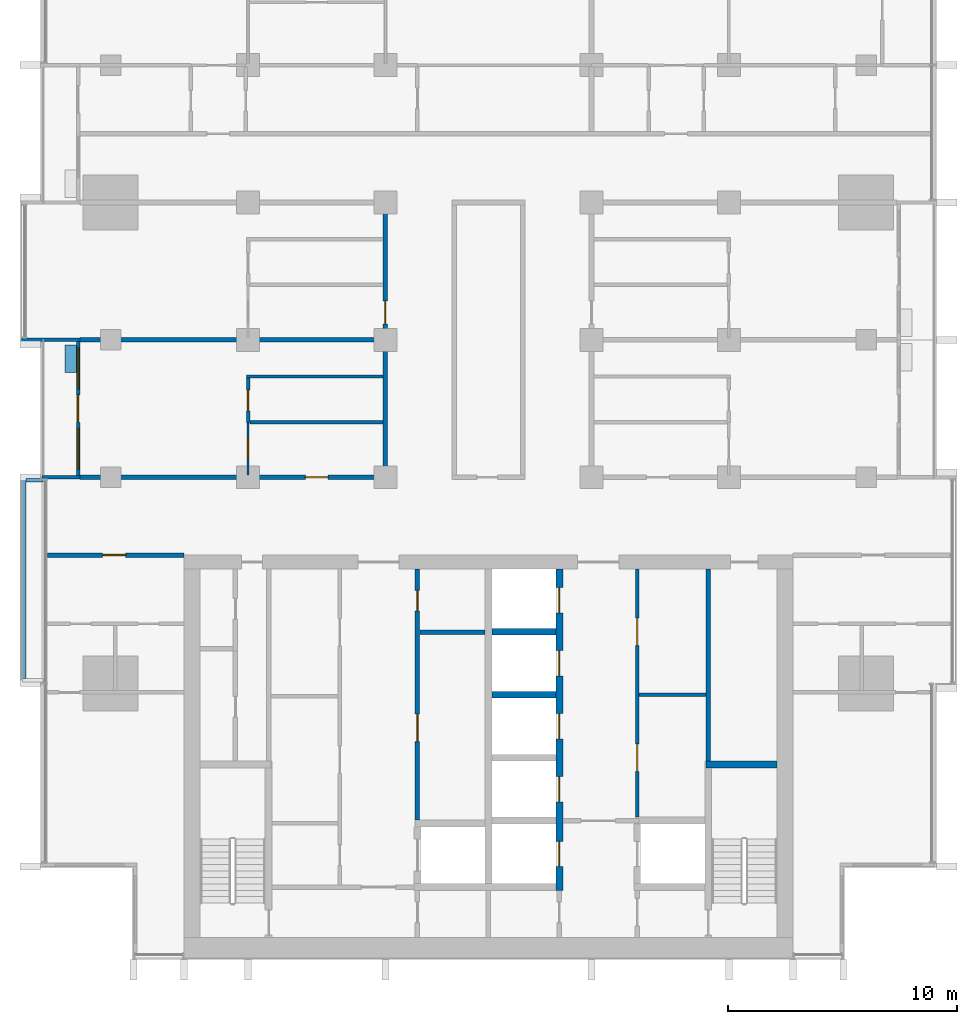
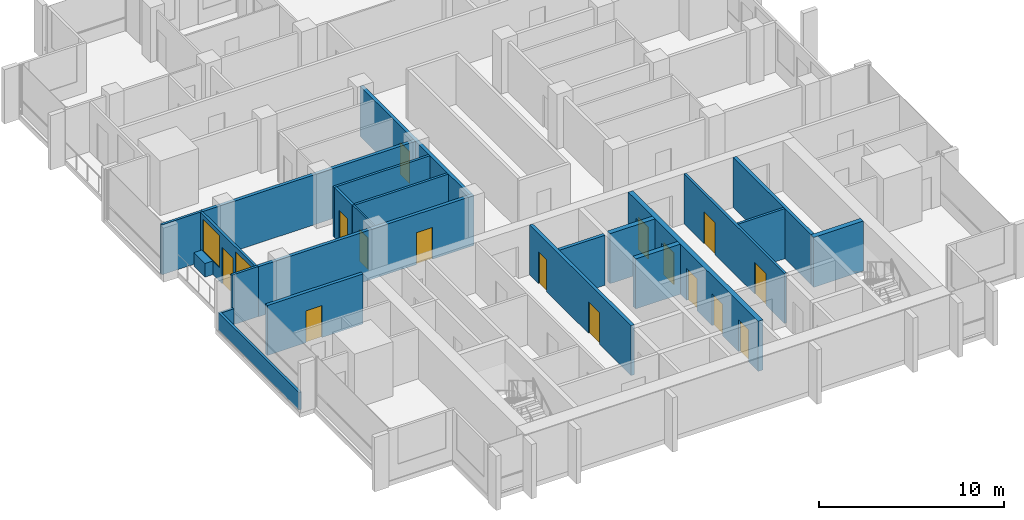
# One storey, part 8 of 17: 23 walls, 15 doors, 2 windows, 17 openings.
"""IFC4 building model written with IfcOpenShell, lengths in metres."""

import ifcopenshell
import ifcopenshell.guid

model = None  # the IFC model being written
_history = None  # IfcOwnerHistory: only IFC2X3 demands one
_inside = {}  # id of a spatial element -> (the spatial element, [elements in it])
_under = {}  # id of a project, library or spatial element -> (it, [spatial elements below it])
_declared = {}  # id of a project -> (the project, [libraries it declares])
_typed = {}  # id of a type object -> (the type object, [elements of that type])
_made_of = {}  # id of a material, layer set ... -> (it, [elements and type objects made of it])


def new_model(schema):
    """Start an empty IFC model of exactly this schema.

    Asked for "IFC4X3", IfcOpenShell would pick the latest addendum, in which some entities
    have other attributes; the version numbers below select the first issue.
    IFC2X3 requires an IfcOwnerHistory on every rooted entity: one is made here for all.
    """
    global model, _history
    if schema == "IFC4X3":
        model = ifcopenshell.file(schema_version=(4, 3, 0, 0))
    else:
        model = ifcopenshell.file(schema=schema)
    _inside.clear()
    _under.clear()
    _declared.clear()
    _typed.clear()
    _made_of.clear()
    _history = None
    if model.schema == "IFC2X3":
        org = make("IfcOrganization", Name="unknown")
        user = make(
            "IfcPersonAndOrganization",
            ThePerson=make("IfcPerson", FamilyName="unknown"),
            TheOrganization=org,
        )
        app = make(
            "IfcApplication",
            ApplicationDeveloper=org,
            Version="unknown",
            ApplicationFullName="unknown",
            ApplicationIdentifier="unknown",
        )
        _history = make(
            "IfcOwnerHistory",
            OwningUser=user,
            OwningApplication=app,
            ChangeAction="ADDED",
            CreationDate=0,
        )
    return model


def make(cls, **values):
    """One entity of the class cls with the attributes given. An attribute that is None is left unset."""
    return model.create_entity(
        cls, **{name: value for name, value in values.items() if value is not None}
    )


def rooted(cls, **values):
    """An entity with a GlobalId (a new one), such as an element, a storey or a relation."""
    return make(cls, GlobalId=ifcopenshell.guid.new(), OwnerHistory=_history, **values)


def si_unit(unit_type, name, prefix=None):
    """IfcSIUnit, for example si_unit("LENGTHUNIT", "METRE", prefix="MILLI")."""
    return make("IfcSIUnit", UnitType=unit_type, Prefix=prefix, Name=name)


def assignment(units):
    """IfcUnitAssignment: the units of a project."""
    return None if units is None else make("IfcUnitAssignment", Units=units)


def point(xyz):
    """IfcCartesianPoint."""
    return None if xyz is None else make("IfcCartesianPoint", Coordinates=xyz)


def direction(xyz):
    """IfcDirection."""
    return None if xyz is None else make("IfcDirection", DirectionRatios=xyz)


def frame(location, z_axis=None, x_axis=None):
    """IfcAxis2Placement3D, a coordinate frame: its origin and axes. An axis left out is left unset."""
    return make(
        "IfcAxis2Placement3D",
        Location=point(location),
        Axis=direction(z_axis),
        RefDirection=direction(x_axis),
    )


def frame_2d(location, x_axis=None):
    """IfcAxis2Placement2D, a coordinate frame in the plane: its origin and x axis."""
    return make(
        "IfcAxis2Placement2D", Location=point(location), RefDirection=direction(x_axis)
    )


def origin():
    """The frame at (0, 0, 0) with its axes left unset."""
    return frame((0.0, 0.0, 0.0))


def place(relative_to, where):
    """IfcLocalPlacement: puts the frame where relative to a parent placement (None: the world)."""
    return make(
        "IfcLocalPlacement", PlacementRelTo=relative_to, RelativePlacement=where
    )


def context(
    kind, dimensions, precision=None, world=None, true_north=None, identifier=None
):
    """IfcGeometricRepresentationContext, for example the 3D "Model" context."""
    return make(
        "IfcGeometricRepresentationContext",
        ContextIdentifier=identifier,
        ContextType=kind,
        CoordinateSpaceDimension=dimensions,
        Precision=precision,
        WorldCoordinateSystem=world,
        TrueNorth=true_north,
    )


def subcontext(parent, identifier, kind, view, scale=None):
    """IfcGeometricRepresentationSubContext, for example "Body" below "Model"."""
    return make(
        "IfcGeometricRepresentationSubContext",
        ContextIdentifier=identifier,
        ContextType=kind,
        ParentContext=parent,
        TargetScale=scale,
        TargetView=view,
    )


def project(units=None, contexts=None):
    """IfcProject with its units and contexts."""
    return rooted(
        "IfcProject",
        Name="project",
        RepresentationContexts=contexts,
        UnitsInContext=assignment(units),
    )


def spatial(cls, under=None, at=None, **own):
    """A site, building, storey or space (cls), placed at a placement, below another one or the project."""
    s = rooted(cls, ObjectPlacement=at, **own)
    if under is not None:
        _under.setdefault(under.id(), (under, []))[1].append(s)
    return s


def profile(cls, at=None, kind="AREA", **sizes):
    """A parametric profile (cls). Its sizes go by their IFC names, for example OverallWidth=200.0."""
    return make(cls, ProfileType=kind, Position=at, **sizes)


def rectangle(**sizes):
    """IfcRectangleProfileDef."""
    return profile("IfcRectangleProfileDef", **sizes)


def extrude(swept, where, along, depth):
    """IfcExtrudedAreaSolid: the profile swept, set in the frame where, extruded along a direction by depth."""
    return make(
        "IfcExtrudedAreaSolid",
        SweptArea=swept,
        Position=where,
        ExtrudedDirection=direction(along),
        Depth=depth,
    )


def shape(context_of_items, identifier, shape_type, items):
    """IfcShapeRepresentation: the items that make up one representation, for example the "Body"."""
    return make(
        "IfcShapeRepresentation",
        ContextOfItems=context_of_items,
        RepresentationIdentifier=identifier,
        RepresentationType=shape_type,
        Items=items,
    )


def material(Name=None, Category=None):
    """IfcMaterial."""
    return make("IfcMaterial", Name=Name, Category=Category)


def layer(
    of_material, thickness, ventilated=None, Name=None, Category=None, Priority=None
):
    """IfcMaterialLayer: one layer of a wall or slab, of a material (None: an air gap)."""
    return make(
        "IfcMaterialLayer",
        Material=of_material,
        LayerThickness=thickness,
        IsVentilated=ventilated,
        Name=Name,
        Category=Category,
        Priority=Priority,
    )


def layer_set(layers, Name=None):
    """IfcMaterialLayerSet."""
    return make("IfcMaterialLayerSet", MaterialLayers=layers, LayerSetName=Name)


def made_of(thing, what):
    """Note that an element or type object is made of a material, layer set ...; save() writes the relation."""
    if what is not None:
        _made_of.setdefault(what.id(), (what, []))[1].append(thing)
    return thing


def type_object(cls, material=None, **own):
    """A type object (cls), such as IfcWallType, which elements share."""
    return made_of(rooted(cls, **own), material)


def element(
    cls,
    number,
    at=None,
    inside=None,
    cuts=None,
    type_object=None,
    material=None,
    context=None,
    identifier="Body",
    shape_type=None,
    held_by="IfcProductDefinitionShape",
    body=None,
    shapes=None,
    **own,
):
    """One element of the class cls, such as IfcWall. Its Tag is "e" and its number.

    at: its placement. inside: the storey or other place that contains it. cuts: it is an
    opening in that element (IfcRelVoidsElement). A single representation is given by context,
    identifier, shape_type and body (its items); several are given by shapes. held_by: the class
    of the entity that holds the representations. save() writes the other relations.
    """
    e = rooted(cls, Tag="e%d" % number, ObjectPlacement=at, **own)
    if body is not None:
        shapes = [shape(context, identifier, shape_type, body)]
    if shapes is not None:
        e.Representation = make(held_by, Representations=shapes)
    if inside is not None:
        _inside.setdefault(inside.id(), (inside, []))[1].append(e)
    if cuts is not None:
        rooted(
            "IfcRelVoidsElement", RelatingBuildingElement=cuts, RelatedOpeningElement=e
        )
    if type_object is not None:
        _typed.setdefault(type_object.id(), (type_object, []))[1].append(e)
    return made_of(e, material)


def fill(opening, filler):
    """IfcRelFillsElement: the door or window that sits in an opening."""
    return rooted(
        "IfcRelFillsElement",
        RelatingOpeningElement=opening,
        RelatedBuildingElement=filler,
    )


def aggregate(whole, parts):
    """IfcRelAggregates: a whole, such as a stair, and the parts it consists of."""
    return rooted("IfcRelAggregates", RelatingObject=whole, RelatedObjects=parts)


def save(model, path):
    """Write the relations noted so far, then the file.

    IfcRelAggregates (storeys below a building ...), IfcRelContainedInSpatialStructure (elements
    in a storey), IfcRelDefinesByType, IfcRelAssociatesMaterial and IfcRelDeclares: one each for
    every whole, place, type object, material and project.
    """
    for whole, parts in _under.values():
        aggregate(whole, parts)
    for where, things in _inside.values():
        rooted(
            "IfcRelContainedInSpatialStructure",
            RelatedElements=things,
            RelatingStructure=where,
        )
    for kind, things in _typed.values():
        rooted("IfcRelDefinesByType", RelatedObjects=things, RelatingType=kind)
    for what, things in _made_of.values():
        rooted("IfcRelAssociatesMaterial", RelatedObjects=things, RelatingMaterial=what)
    for by, libraries in _declared.values():
        rooted("IfcRelDeclares", RelatingContext=by, RelatedDefinitions=libraries)
    model.write(path)


model = new_model("IFC4")

# Units and contexts
model_context = context("Model", 3, precision=1e-05, world=origin(), true_north=direction((0.0, 1.0)))
body_context = subcontext(model_context, "Body", "Model", "MODEL_VIEW")
ifc_project = project(units=[si_unit("LENGTHUNIT", "METRE"), si_unit("AREAUNIT", "SQUARE_METRE"), si_unit("VOLUMEUNIT", "CUBIC_METRE"), si_unit("PLANEANGLEUNIT", "RADIAN"), si_unit("MASSUNIT", "GRAM", prefix="KILO")], contexts=[model_context])

# Site, building, storey
site_placement = place(None, origin())
site = spatial("IfcSite", under=ifc_project, at=site_placement, CompositionType="ELEMENT")
building_placement = place(site_placement, origin())
building = spatial("IfcBuilding", under=site, at=building_placement, Name="Finial Court Residences", CompositionType="ELEMENT")
storey_placement = place(building_placement, frame((0.0, 0.0, 167.300048828125)))
storey = spatial("IfcBuildingStorey", under=building, at=storey_placement, Name="L41", CompositionType="ELEMENT", Elevation=167.300048828125)

# Walls
ifc_material_1 = material(Name="Gypsum board")
ifc_layer_1 = layer(ifc_material_1, 0.02490234375)
ifc_material_2 = material(Name="Acoustic mineral wool in double frame")
ifc_layer_2 = layer(ifc_material_2, 0.14990234375)
ifc_layer_3 = layer(ifc_material_1, 0.02490234375)
ifc_layer_set_1 = layer_set([ifc_layer_1, ifc_layer_2, ifc_layer_3], Name="Acoustic party wall 200, 1 hour")
wall_type_1 = type_object("IfcWallType", Name="Acoustic party wall 200, 1 hour", PredefinedType="PARTITIONING", material=ifc_layer_set_1)
wall_1_placement = place(storey_placement, frame((-17.85009765625, 1.5, 0.0), z_axis=(0.0, 0.0, 1.0), x_axis=(1.0, 0.0, 0.0)))
element("IfcWall", 1, at=wall_1_placement, inside=storey, type_object=wall_type_1, Name="Partition L41-013", PredefinedType="PARTITIONING", context=body_context, shape_type="SweptSolid", body=[
    extrude(rectangle(XDim=13.25, YDim=0.199951171875, at=frame_2d((6.625, 0.0))), origin(), (0.0, 0.0, 1.0), 3.300048828125),
])
ifc_material_3 = material(Name="Fire-rated gypsum board partition")
ifc_layer_4 = layer(ifc_material_3, 0.14990234375)
ifc_layer_set_2 = layer_set([ifc_layer_4], Name="Core room partition 150 EI 60")
wall_type_2 = type_object("IfcWallType", Name="Core room partition 150 EI 60", PredefinedType="PARTITIONING", material=ifc_layer_set_2)
wall_2_placement = place(storey_placement, frame((6.574951171875, -14.0, 0.0), z_axis=(0.0, 0.0, 1.0), x_axis=(1.0, 0.0, 0.0)))
element("IfcWall", 2, at=wall_2_placement, inside=storey, type_object=wall_type_2, Name="Core partition L41-14", PredefinedType="PARTITIONING", context=body_context, shape_type="SweptSolid", body=[
    extrude(rectangle(XDim=2.925048828125, YDim=0.14990234375, at=frame_2d((1.46240234375, 0.0))), origin(), (0.0, 0.0, 1.0), 3.300048828125),
])

# Wall, openings, doors
wall_3_placement = place(storey_placement, frame((6.5, -8.5, 0.0), z_axis=(0.0, 0.0, 1.0), x_axis=(0.0, -1.0, 0.0)))
wall_3 = element("IfcWall", 3, at=wall_3_placement, inside=storey, type_object=wall_type_2, Name="Core partition L41-32", PredefinedType="PARTITIONING", context=body_context, shape_type="SweptSolid", body=[
    extrude(rectangle(XDim=10.85009765625, YDim=0.14990234375, at=frame_2d((5.425048828125, 0.0))), origin(), (0.0, 0.0, 1.0), 3.300048828125),
])
opening_1_placement = place(wall_3_placement, frame((7.64990234375, 0.0, 0.0)))
opening_1 = element("IfcOpeningElement", 4, at=opening_1_placement, cuts=wall_3, Name="Opening L41-C17", PredefinedType="OPENING", context=body_context, shape_type="SweptSolid", body=[
    extrude(rectangle(XDim=1.199951171875, YDim=2.10009765625, at=frame_2d((0.60009765625, 1.050048828125))), frame((0.0, 0.0849609375, 0.0), z_axis=(0.0, -1.0, 0.0), x_axis=(1.0, 0.0, 0.0)), (0.0, 0.0, 1.0), 0.169921875),
])
opening_2_placement = place(wall_3_placement, frame((2.14990234375, 0.0, 0.0)))
opening_2 = element("IfcOpeningElement", 5, at=opening_2_placement, cuts=wall_3, Name="Opening L41-C18", PredefinedType="OPENING", context=body_context, shape_type="SweptSolid", body=[
    extrude(rectangle(XDim=1.199951171875, YDim=2.10009765625, at=frame_2d((0.60009765625, 1.050048828125))), frame((0.0, 0.0849609375, 0.0), z_axis=(0.0, -1.0, 0.0), x_axis=(1.0, 0.0, 0.0)), (0.0, 0.0, 1.0), 0.169921875),
])
ifc_material_4 = material(Name="Steel fire door", Category="steel")
door_type_1 = type_object("IfcDoorType", Name="Core room door 1200 x 2100 EI 60", OperationType="NOTDEFINED", PredefinedType="DOOR", material=ifc_material_4)
door_1_placement = place(opening_1_placement, origin())
door_1 = element("IfcDoor", 6, at=door_1_placement, inside=storey, type_object=door_type_1, Name="Core room door L41-C17", OperationType="SINGLE_SWING_RIGHT", OverallHeight=2.10009765625, OverallWidth=1.199951171875, PredefinedType="DOOR", context=body_context, shape_type="SweptSolid", body=[
    extrude(rectangle(XDim=1.199951171875, YDim=2.10009765625, at=frame_2d((0.60009765625, 1.050048828125))), frame((0.0, 0.02490234375, 0.0), z_axis=(0.0, -1.0, 0.0), x_axis=(1.0, 0.0, 0.0)), (0.0, 0.0, 1.0), 0.050048828125),
])
fill(opening_1, door_1)
door_2_placement = place(opening_2_placement, origin())
door_2 = element("IfcDoor", 7, at=door_2_placement, inside=storey, type_object=door_type_1, Name="Core room door L41-C18", OperationType="SINGLE_SWING_RIGHT", OverallHeight=2.10009765625, OverallWidth=1.199951171875, PredefinedType="DOOR", context=body_context, shape_type="SweptSolid", body=[
    extrude(rectangle(XDim=1.199951171875, YDim=2.10009765625, at=frame_2d((0.60009765625, 1.050048828125))), frame((0.0, 0.02490234375, 0.0), z_axis=(0.0, -1.0, 0.0), x_axis=(1.0, 0.0, 0.0)), (0.0, 0.0, 1.0), 0.050048828125),
])
fill(opening_2, door_2)

# Wall, opening, door
ifc_layer_5 = layer(ifc_material_1, 0.02490234375)
ifc_layer_6 = layer(ifc_material_2, 0.14990234375)
ifc_layer_7 = layer(ifc_material_1, 0.02490234375)
ifc_layer_set_3 = layer_set([ifc_layer_5, ifc_layer_6, ifc_layer_7], Name="Corridor wall 200, 1 hour")
wall_type_3 = type_object("IfcWallType", Name="Corridor wall 200, 1 hour", PredefinedType="PARTITIONING", material=ifc_layer_set_3)
wall_4_placement = place(storey_placement, frame((-19.262451171875, -7.89990234375, 0.0), z_axis=(0.0, 0.0, 1.0), x_axis=(1.0, 0.0, 0.0)))
wall_4 = element("IfcWall", 8, at=wall_4_placement, inside=storey, type_object=wall_type_3, Name="Partition L41-004", PredefinedType="PARTITIONING", context=body_context, shape_type="SweptSolid", body=[
    extrude(rectangle(XDim=5.96240234375, YDim=0.199951171875, at=frame_2d((2.981201171875, 0.0))), origin(), (0.0, 0.0, 1.0), 3.300048828125),
])
opening_3_placement = place(wall_4_placement, frame((2.412109375, 0.0, 0.0)))
opening_3 = element("IfcOpeningElement", 9, at=opening_3_placement, cuts=wall_4, Name="Opening L41-D007", PredefinedType="OPENING", context=body_context, shape_type="SweptSolid", body=[
    extrude(rectangle(XDim=1.0, YDim=2.10009765625, at=frame_2d((0.5, 1.050048828125))), frame((0.0, 0.10986328125, 0.0), z_axis=(0.0, -1.0, 0.0), x_axis=(1.0, 0.0, 0.0)), (0.0, 0.0, 1.0), 0.219970703125),
])
ifc_material_5 = material(Name="Timber door leaf in hollow metal frame", Category="wood")
door_type_2 = type_object("IfcDoorType", Name="Fire door set 1000 x 2100, 30 minutes", OperationType="SINGLE_SWING_LEFT", PredefinedType="DOOR", material=ifc_material_5)
door_3_placement = place(opening_3_placement, origin())
door_3 = element("IfcDoor", 10, at=door_3_placement, inside=storey, type_object=door_type_2, Name="Door L41-D007", OperationType="SINGLE_SWING_RIGHT", OverallHeight=2.10009765625, OverallWidth=1.0, PredefinedType="DOOR", context=body_context, shape_type="SweptSolid", body=[
    extrude(rectangle(XDim=1.0, YDim=2.10009765625, at=frame_2d((0.5, 1.050048828125))), frame((0.0, 0.02490234375, 0.0), z_axis=(0.0, -1.0, 0.0), x_axis=(1.0, 0.0, 0.0)), (0.0, 0.0, 1.0), 0.050048828125),
])
fill(opening_3, door_3)

wall_5_placement = place(storey_placement, frame((-17.85009765625, -4.5, 0.0), z_axis=(0.0, 0.0, 1.0), x_axis=(1.0, 0.0, 0.0)))
wall_5 = element("IfcWall", 11, at=wall_5_placement, inside=storey, type_object=wall_type_3, Name="Partition L41-006", PredefinedType="PARTITIONING", context=body_context, shape_type="SweptSolid", body=[
    extrude(rectangle(XDim=13.4501953125, YDim=0.199951171875, at=frame_2d((6.72509765625, 0.0))), origin(), (0.0, 0.0, 1.0), 3.300048828125),
])
opening_4_placement = place(wall_5_placement, frame((9.85009765625, 0.0, 0.0)))
opening_4 = element("IfcOpeningElement", 12, at=opening_4_placement, cuts=wall_5, Name="Opening L41-D009", PredefinedType="OPENING", context=body_context, shape_type="SweptSolid", body=[
    extrude(rectangle(XDim=1.0, YDim=2.10009765625, at=frame_2d((0.5, 1.050048828125))), frame((0.0, 0.10986328125, 0.0), z_axis=(0.0, -1.0, 0.0), x_axis=(1.0, 0.0, 0.0)), (0.0, 0.0, 1.0), 0.219970703125),
])
door_4_placement = place(opening_4_placement, origin())
door_4 = element("IfcDoor", 13, at=door_4_placement, inside=storey, type_object=door_type_2, Name="Door L41-D009", OperationType="SINGLE_SWING_LEFT", OverallHeight=2.10009765625, OverallWidth=1.0, PredefinedType="DOOR", context=body_context, shape_type="SweptSolid", body=[
    extrude(rectangle(XDim=1.0, YDim=2.10009765625, at=frame_2d((0.5, 1.050048828125))), frame((0.0, 0.02490234375, 0.0), z_axis=(0.0, -1.0, 0.0), x_axis=(1.0, 0.0, 0.0)), (0.0, 0.0, 1.0), 0.050048828125),
])
fill(opening_4, door_4)

wall_6_placement = place(storey_placement, frame((-4.5, -4.39990234375, 0.0), z_axis=(0.0, 0.0, 1.0), x_axis=(0.0, 1.0, 0.0)))
wall_6 = element("IfcWall", 14, at=wall_6_placement, inside=storey, type_object=wall_type_3, Name="Partition L41-042", PredefinedType="PARTITIONING", context=body_context, shape_type="SweptSolid", body=[
    extrude(rectangle(XDim=11.7998046875, YDim=0.199951171875, at=frame_2d((5.89990234375, 0.0))), origin(), (0.0, 0.0, 1.0), 3.300048828125),
])
opening_5_placement = place(wall_6_placement, frame((6.60009765625, 0.0, 0.0)))
opening_5 = element("IfcOpeningElement", 15, at=opening_5_placement, cuts=wall_6, Name="Opening L41-D025", PredefinedType="OPENING", context=body_context, shape_type="SweptSolid", body=[
    extrude(rectangle(XDim=1.0, YDim=2.10009765625, at=frame_2d((0.5, 1.050048828125))), frame((0.0, 0.10986328125, 0.0), z_axis=(0.0, -1.0, 0.0), x_axis=(1.0, 0.0, 0.0)), (0.0, 0.0, 1.0), 0.219970703125),
])
door_5_placement = place(opening_5_placement, origin())
door_5 = element("IfcDoor", 16, at=door_5_placement, inside=storey, type_object=door_type_2, Name="Door L41-D025", OperationType="SINGLE_SWING_LEFT", OverallHeight=2.10009765625, OverallWidth=1.0, PredefinedType="DOOR", context=body_context, shape_type="SweptSolid", body=[
    extrude(rectangle(XDim=1.0, YDim=2.10009765625, at=frame_2d((0.5, 1.050048828125))), frame((0.0, 0.02490234375, 0.0), z_axis=(0.0, -1.0, 0.0), x_axis=(1.0, 0.0, 0.0)), (0.0, 0.0, 1.0), 0.050048828125),
])
fill(opening_5, door_5)

ifc_layer_8 = layer(ifc_material_1, 0.012451171875)
ifc_material_6 = material(Name="Mineral wool in light-gauge frame")
ifc_layer_9 = layer(ifc_material_6, 0.074951171875)
ifc_layer_10 = layer(ifc_material_1, 0.012451171875)
ifc_layer_set_4 = layer_set([ifc_layer_8, ifc_layer_9, ifc_layer_10], Name="Gypsum board partition 100")
wall_type_4 = type_object("IfcWallType", Name="Gypsum board partition 100", PredefinedType="PARTITIONING", material=ifc_layer_set_4)
wall_7_placement = place(storey_placement, frame((-10.5, -4.39990234375, 0.0), z_axis=(0.0, 0.0, 1.0), x_axis=(0.0, 1.0, 0.0)))
wall_7 = element("IfcWall", 17, at=wall_7_placement, inside=storey, type_object=wall_type_4, Name="Partition L41-037", PredefinedType="PARTITIONING", context=body_context, shape_type="SweptSolid", body=[
    extrude(rectangle(XDim=2.2998046875, YDim=0.10009765625, at=frame_2d((1.14990234375, 0.0))), origin(), (0.0, 0.0, 1.0), 3.300048828125),
])
opening_6_placement = place(wall_7_placement, frame((0.699951171875, 0.0, 0.0)))
opening_6 = element("IfcOpeningElement", 18, at=opening_6_placement, cuts=wall_7, Name="Opening L41-D020", PredefinedType="OPENING", context=body_context, shape_type="SweptSolid", body=[
    extrude(rectangle(XDim=0.89990234375, YDim=2.10009765625, at=frame_2d((0.449951171875, 1.050048828125))), frame((0.0, 0.06005859375, 0.0), z_axis=(0.0, -1.0, 0.0), x_axis=(1.0, 0.0, 0.0)), (0.0, 0.0, 1.0), 0.1201171875),
])
ifc_material_7 = material(Name="Timber door leaf in timber frame", Category="wood")
door_type_3 = type_object("IfcDoorType", Name="Door set 900 x 2100", OperationType="SINGLE_SWING_LEFT", PredefinedType="DOOR", material=ifc_material_7)
door_6_placement = place(opening_6_placement, origin())
door_6 = element("IfcDoor", 19, at=door_6_placement, inside=storey, type_object=door_type_3, Name="Door L41-D020", OperationType="SINGLE_SWING_RIGHT", OverallHeight=2.10009765625, OverallWidth=0.89990234375, PredefinedType="DOOR", context=body_context, shape_type="SweptSolid", body=[
    extrude(rectangle(XDim=0.89990234375, YDim=2.10009765625, at=frame_2d((0.449951171875, 1.050048828125))), frame((0.0, 0.02490234375, 0.0), z_axis=(0.0, -1.0, 0.0), x_axis=(1.0, 0.0, 0.0)), (0.0, 0.0, 1.0), 0.050048828125),
])
fill(opening_6, door_6)

# Walls
ifc_material_8 = material(Name="Moisture-resistant gypsum board")
ifc_layer_11 = layer(ifc_material_8, 0.012451171875)
ifc_layer_12 = layer(ifc_material_6, 0.125)
ifc_layer_13 = layer(ifc_material_8, 0.012451171875)
ifc_layer_set_5 = layer_set([ifc_layer_11, ifc_layer_12, ifc_layer_13], Name="Gypsum board wet-area partition 150")
wall_type_5 = type_object("IfcWallType", Name="Gypsum board wet-area partition 150", PredefinedType="PARTITIONING", material=ifc_layer_set_5)
wall_8_placement = place(storey_placement, frame((-10.425048828125, -2.10009765625, 0.0), z_axis=(0.0, 0.0, 1.0), x_axis=(1.0, 0.0, 0.0)))
element("IfcWall", 20, at=wall_8_placement, inside=storey, type_object=wall_type_5, Name="Partition L41-009", PredefinedType="PARTITIONING", context=body_context, shape_type="SweptSolid", body=[
    extrude(rectangle(XDim=5.824951171875, YDim=0.14990234375, at=frame_2d((2.91259765625, 0.0))), origin(), (0.0, 0.0, 1.0), 3.300048828125),
])
wall_9_placement = place(storey_placement, frame((-10.574951171875, -0.10009765625, 0.0), z_axis=(0.0, 0.0, 1.0), x_axis=(1.0, 0.0, 0.0)))
element("IfcWall", 21, at=wall_9_placement, inside=storey, type_object=wall_type_5, Name="Partition L41-011", PredefinedType="PARTITIONING", context=body_context, shape_type="SweptSolid", body=[
    extrude(rectangle(XDim=5.974853515625, YDim=0.14990234375, at=frame_2d((2.9873046875, 0.0))), origin(), (0.0, 0.0, 1.0), 3.300048828125),
])

# Wall, opening, door
wall_10_placement = place(storey_placement, frame((-10.5, -2.10009765625, 0.0), z_axis=(0.0, 0.0, 1.0), x_axis=(0.0, 1.0, 0.0)))
wall_10 = element("IfcWall", 22, at=wall_10_placement, inside=storey, type_object=wall_type_5, Name="Partition L41-040", PredefinedType="PARTITIONING", context=body_context, shape_type="SweptSolid", body=[
    extrude(rectangle(XDim=1.925048828125, YDim=0.14990234375, at=frame_2d((0.96240234375, 0.0))), origin(), (0.0, 0.0, 1.0), 3.300048828125),
])
opening_7_placement = place(wall_10_placement, frame((0.5, 0.0, 0.0)))
opening_7 = element("IfcOpeningElement", 23, at=opening_7_placement, cuts=wall_10, Name="Opening L41-D023", PredefinedType="OPENING", context=body_context, shape_type="SweptSolid", body=[
    extrude(rectangle(XDim=0.89990234375, YDim=2.10009765625, at=frame_2d((0.449951171875, 1.050048828125))), frame((0.0, 0.0849609375, 0.0), z_axis=(0.0, -1.0, 0.0), x_axis=(1.0, 0.0, 0.0)), (0.0, 0.0, 1.0), 0.169921875),
])
door_7_placement = place(opening_7_placement, origin())
door_7 = element("IfcDoor", 24, at=door_7_placement, inside=storey, type_object=door_type_3, Name="Door L41-D023", OperationType="SINGLE_SWING_RIGHT", OverallHeight=2.10009765625, OverallWidth=0.89990234375, PredefinedType="DOOR", context=body_context, shape_type="SweptSolid", body=[
    extrude(rectangle(XDim=0.89990234375, YDim=2.10009765625, at=frame_2d((0.449951171875, 1.050048828125))), frame((0.0, 0.02490234375, 0.0), z_axis=(0.0, -1.0, 0.0), x_axis=(1.0, 0.0, 0.0)), (0.0, 0.0, 1.0), 0.050048828125),
])
fill(opening_7, door_7)

# Walls
ifc_material_9 = material(Name="Concrete C35/45", Category="concrete")
ifc_layer_14 = layer(ifc_material_9, 0.14990234375)
ifc_layer_set_6 = layer_set([ifc_layer_14], Name="Ledge parapet, Concrete C35/45 150")
wall_type_6 = type_object("IfcWallType", Name="Ledge parapet, Concrete C35/45 150", PredefinedType="PARAPET", material=ifc_layer_set_6)
wall_11_placement = place(storey_placement, frame((-20.27490234375, -13.300048828125, 0.0), z_axis=(0.0, 0.0, 1.0), x_axis=(0.0, 1.0, 0.0)))
element("IfcWall", 25, at=wall_11_placement, inside=storey, type_object=wall_type_6, Name="E-L41-LED1-P2", PredefinedType="PARAPET", context=body_context, shape_type="SweptSolid", body=[
    extrude(rectangle(XDim=8.75, YDim=0.14990234375, at=frame_2d((4.375, 0.0))), origin(), (0.0, 0.0, 1.0), 1.14990234375),
])
wall_12_placement = place(storey_placement, frame((-20.199951171875, -4.625, 0.0), z_axis=(0.0, 0.0, 1.0), x_axis=(1.0, 0.0, 0.0)))
element("IfcWall", 26, at=wall_12_placement, inside=storey, type_object=wall_type_6, Name="E-L41-LED1-P3", PredefinedType="PARAPET", context=body_context, shape_type="SweptSolid", body=[
    extrude(rectangle(XDim=0.75244140625, YDim=0.14990234375, at=frame_2d((0.376220703125, 0.0))), origin(), (0.0, 0.0, 1.0), 1.14990234375),
])
ifc_material_10 = material(Name="Concrete C70/85", Category="concrete")
ifc_layer_15 = layer(ifc_material_10, 0.300048828125)
ifc_layer_set_7 = layer_set([ifc_layer_15], Name="Lift shaft and stair wall 300 Concrete C70/85")
wall_type_7 = type_object("IfcWallType", Name="Lift shaft and stair wall 300 Concrete C70/85", PredefinedType="SHEAR", material=ifc_layer_set_7)
wall_13_placement = place(storey_placement, frame((9.5, -17.050048828125, 0.0), z_axis=(0.0, 0.0, 1.0), x_axis=(1.0, 0.0, 0.0)))
element("IfcWall", 27, at=wall_13_placement, inside=storey, type_object=wall_type_7, Name="Core wall L41-10", PredefinedType="SHEAR", context=body_context, shape_type="SweptSolid", body=[
    extrude(rectangle(XDim=3.10009765625, YDim=0.300048828125, at=frame_2d((1.550048828125, 0.0))), origin(), (0.0, 0.0, 1.0), 3.300048828125),
])
for number, where, z_axis, x_axis, name in (
    (28, (0.14990234375, -14.0, 0.0), (0.0, 0.0, 1.0), (1.0, 0.0, 0.0), "Core wall L41-13"),
    (29, (0.14990234375, -11.25, 0.0), (0.0, 0.0, 1.0), (1.0, 0.0, 0.0), "Core wall L41-17"),
):
    element("IfcWall", number, at=place(storey_placement, frame(where, z_axis=z_axis, x_axis=x_axis)), inside=storey, type_object=wall_type_7, Name=name, PredefinedType="SHEAR", context=body_context, shape_type="SweptSolid", body=[
        extrude(rectangle(XDim=2.800048828125, YDim=0.300048828125, at=frame_2d((1.39990234375, 0.0))), origin(), (0.0, 0.0, 1.0), 3.300048828125),
    ])

# Wall, openings, doors
wall_14_placement = place(storey_placement, frame((3.10009765625, -22.550048828125, 0.0), z_axis=(0.0, 0.0, 1.0), x_axis=(0.0, 1.0, 0.0)))
wall_14 = element("IfcWall", 30, at=wall_14_placement, inside=storey, type_object=wall_type_7, Name="Core wall L41-29", PredefinedType="SHEAR", context=body_context, shape_type="SweptSolid", body=[
    extrude(rectangle(XDim=14.050048828125, YDim=0.300048828125, at=frame_2d((7.02490234375, 0.0))), origin(), (0.0, 0.0, 1.0), 3.300048828125),
])
opening_8_placement = place(wall_14_placement, frame((1.050048828125, 0.0, 0.0)))
opening_8 = element("IfcOpeningElement", 31, at=opening_8_placement, cuts=wall_14, Name="Opening L41-LD01", PredefinedType="OPENING", context=body_context, shape_type="SweptSolid", body=[
    extrude(rectangle(XDim=1.10009765625, YDim=2.10009765625, at=frame_2d((0.550048828125, 1.050048828125))), frame((0.0, 0.159912109375, 0.0), z_axis=(0.0, -1.0, 0.0), x_axis=(1.0, 0.0, 0.0)), (0.0, 0.0, 1.0), 0.320068359375),
])
opening_9_placement = place(wall_14_placement, frame((3.875, 0.0, 0.0)))
opening_9 = element("IfcOpeningElement", 32, at=opening_9_placement, cuts=wall_14, Name="Opening L41-LD03", PredefinedType="OPENING", context=body_context, shape_type="SweptSolid", body=[
    extrude(rectangle(XDim=1.10009765625, YDim=2.10009765625, at=frame_2d((0.550048828125, 1.050048828125))), frame((0.0, 0.159912109375, 0.0), z_axis=(0.0, -1.0, 0.0), x_axis=(1.0, 0.0, 0.0)), (0.0, 0.0, 1.0), 0.320068359375),
])
opening_10_placement = place(wall_14_placement, frame((6.625, 0.0, 0.0)))
opening_10 = element("IfcOpeningElement", 33, at=opening_10_placement, cuts=wall_14, Name="Opening L41-LD04", PredefinedType="OPENING", context=body_context, shape_type="SweptSolid", body=[
    extrude(rectangle(XDim=1.10009765625, YDim=2.10009765625, at=frame_2d((0.550048828125, 1.050048828125))), frame((0.0, 0.159912109375, 0.0), z_axis=(0.0, -1.0, 0.0), x_axis=(1.0, 0.0, 0.0)), (0.0, 0.0, 1.0), 0.320068359375),
])
opening_11_placement = place(wall_14_placement, frame((9.375, 0.0, 0.0)))
opening_11 = element("IfcOpeningElement", 34, at=opening_11_placement, cuts=wall_14, Name="Opening L41-LD05", PredefinedType="OPENING", context=body_context, shape_type="SweptSolid", body=[
    extrude(rectangle(XDim=1.10009765625, YDim=2.10009765625, at=frame_2d((0.550048828125, 1.050048828125))), frame((0.0, 0.159912109375, 0.0), z_axis=(0.0, -1.0, 0.0), x_axis=(1.0, 0.0, 0.0)), (0.0, 0.0, 1.0), 0.320068359375),
])
opening_12_placement = place(wall_14_placement, frame((12.125, 0.0, 0.0)))
opening_12 = element("IfcOpeningElement", 35, at=opening_12_placement, cuts=wall_14, Name="Opening L41-LD06", PredefinedType="OPENING", context=body_context, shape_type="SweptSolid", body=[
    extrude(rectangle(XDim=1.10009765625, YDim=2.10009765625, at=frame_2d((0.550048828125, 1.050048828125))), frame((0.0, 0.159912109375, 0.0), z_axis=(0.0, -1.0, 0.0), x_axis=(1.0, 0.0, 0.0)), (0.0, 0.0, 1.0), 0.320068359375),
])
ifc_material_11 = material(Name="Stainless steel lift door", Category="steel")
door_type_4 = type_object("IfcDoorType", Name="Lift landing door 1100 x 2100 EI 90", OperationType="DOUBLE_DOOR_SLIDING", PredefinedType="DOOR", material=ifc_material_11)
door_8_placement = place(opening_8_placement, origin())
door_8 = element("IfcDoor", 36, at=door_8_placement, inside=storey, type_object=door_type_4, Name="Lift landing door FF1 L41", OperationType="DOUBLE_DOOR_SLIDING", OverallHeight=2.10009765625, OverallWidth=1.10009765625, PredefinedType="DOOR", context=body_context, shape_type="SweptSolid", body=[
    extrude(rectangle(XDim=1.10009765625, YDim=2.10009765625, at=frame_2d((0.550048828125, 1.050048828125))), frame((0.0, 0.02490234375, 0.0), z_axis=(0.0, -1.0, 0.0), x_axis=(1.0, 0.0, 0.0)), (0.0, 0.0, 1.0), 0.050048828125),
])
fill(opening_8, door_8)
door_9_placement = place(opening_9_placement, origin())
door_9 = element("IfcDoor", 37, at=door_9_placement, inside=storey, type_object=door_type_4, Name="Lift landing door HR1 L41", OperationType="DOUBLE_DOOR_SLIDING", OverallHeight=2.10009765625, OverallWidth=1.10009765625, PredefinedType="DOOR", context=body_context, shape_type="SweptSolid", body=[
    extrude(rectangle(XDim=1.10009765625, YDim=2.10009765625, at=frame_2d((0.550048828125, 1.050048828125))), frame((0.0, 0.02490234375, 0.0), z_axis=(0.0, -1.0, 0.0), x_axis=(1.0, 0.0, 0.0)), (0.0, 0.0, 1.0), 0.050048828125),
])
fill(opening_9, door_9)
door_10_placement = place(opening_10_placement, origin())
door_10 = element("IfcDoor", 38, at=door_10_placement, inside=storey, type_object=door_type_4, Name="Lift landing door HR2 L41", OperationType="DOUBLE_DOOR_SLIDING", OverallHeight=2.10009765625, OverallWidth=1.10009765625, PredefinedType="DOOR", context=body_context, shape_type="SweptSolid", body=[
    extrude(rectangle(XDim=1.10009765625, YDim=2.10009765625, at=frame_2d((0.550048828125, 1.050048828125))), frame((0.0, 0.02490234375, 0.0), z_axis=(0.0, -1.0, 0.0), x_axis=(1.0, 0.0, 0.0)), (0.0, 0.0, 1.0), 0.050048828125),
])
fill(opening_10, door_10)
door_11_placement = place(opening_11_placement, origin())
door_11 = element("IfcDoor", 39, at=door_11_placement, inside=storey, type_object=door_type_4, Name="Lift landing door HR3 L41", OperationType="DOUBLE_DOOR_SLIDING", OverallHeight=2.10009765625, OverallWidth=1.10009765625, PredefinedType="DOOR", context=body_context, shape_type="SweptSolid", body=[
    extrude(rectangle(XDim=1.10009765625, YDim=2.10009765625, at=frame_2d((0.550048828125, 1.050048828125))), frame((0.0, 0.02490234375, 0.0), z_axis=(0.0, -1.0, 0.0), x_axis=(1.0, 0.0, 0.0)), (0.0, 0.0, 1.0), 0.050048828125),
])
fill(opening_11, door_11)
door_12_placement = place(opening_12_placement, origin())
door_12 = element("IfcDoor", 40, at=door_12_placement, inside=storey, type_object=door_type_4, Name="Lift landing door HR4 L41", OperationType="DOUBLE_DOOR_SLIDING", OverallHeight=2.10009765625, OverallWidth=1.10009765625, PredefinedType="DOOR", context=body_context, shape_type="SweptSolid", body=[
    extrude(rectangle(XDim=1.10009765625, YDim=2.10009765625, at=frame_2d((0.550048828125, 1.050048828125))), frame((0.0, 0.02490234375, 0.0), z_axis=(0.0, -1.0, 0.0), x_axis=(1.0, 0.0, 0.0)), (0.0, 0.0, 1.0), 0.050048828125),
])
fill(opening_12, door_12)

# Walls
ifc_material_12 = material(Name="Natural limestone", Category="masonry")
ifc_layer_16 = layer(ifc_material_12, 0.14990234375)
ifc_layer_set_8 = layer_set([ifc_layer_16], Name="Limestone clad wall 150")
wall_type_8 = type_object("IfcWallType", Name="Limestone clad wall 150", PredefinedType="SOLIDWALL", material=ifc_layer_set_8)
wall_15_placement = place(storey_placement, frame((-17.85009765625, -4.5, 0.0), z_axis=(0.0, 0.0, 1.0), x_axis=(-1.0, 0.0, 0.0)))
element("IfcWall", 41, at=wall_15_placement, inside=storey, type_object=wall_type_8, Name="E-L41-BALW3-P1", PredefinedType="SOLIDWALL", context=body_context, shape_type="SweptSolid", body=[
    extrude(rectangle(XDim=1.64990234375, YDim=0.14990234375, at=frame_2d((0.824951171875, 0.0))), origin(), (0.0, 0.0, 1.0), 3.300048828125),
])
wall_16_placement = place(storey_placement, frame((-17.85009765625, 1.5, 0.0), z_axis=(0.0, 0.0, 1.0), x_axis=(-1.0, 0.0, 0.0)))
element("IfcWall", 42, at=wall_16_placement, inside=storey, type_object=wall_type_8, Name="E-L41-BALW3-P2", PredefinedType="SOLIDWALL", context=body_context, shape_type="SweptSolid", body=[
    extrude(rectangle(XDim=2.5498046875, YDim=0.14990234375, at=frame_2d((1.27490234375, 0.0))), origin(), (0.0, 0.0, 1.0), 3.300048828125),
])

# Wall, openings, door, windows
wall_17_placement = place(storey_placement, frame((-17.925048828125, -4.425048828125, 0.0), z_axis=(0.0, 0.0, 1.0), x_axis=(0.0, 1.0, 0.0)))
wall_17 = element("IfcWall", 43, at=wall_17_placement, inside=storey, type_object=wall_type_8, Name="E-L41-L41-BALW3-W", PredefinedType="SOLIDWALL", context=body_context, shape_type="SweptSolid", body=[
    extrude(rectangle(XDim=5.85009765625, YDim=0.14990234375, at=frame_2d((2.925048828125, 0.0))), origin(), (0.0, 0.0, 1.0), 3.300048828125),
])
opening_13_placement = place(wall_17_placement, frame((2.324951171875, 0.0, 0.0)))
opening_13 = element("IfcOpeningElement", 44, at=opening_13_placement, cuts=wall_17, Name="Opening DE41-04", PredefinedType="OPENING", context=body_context, shape_type="SweptSolid", body=[
    extrude(rectangle(XDim=1.199951171875, YDim=2.39990234375, at=frame_2d((0.60009765625, 1.199951171875))), frame((0.0, 0.0849609375, 0.0), z_axis=(0.0, -1.0, 0.0), x_axis=(1.0, 0.0, 0.0)), (0.0, 0.0, 1.0), 0.169921875),
])
opening_14_placement = place(wall_17_placement, frame((0.262451171875, 0.0, 0.89990234375)))
opening_14 = element("IfcOpeningElement", 45, at=opening_14_placement, cuts=wall_17, Name="Opening WE41-16", PredefinedType="OPENING", context=body_context, shape_type="SweptSolid", body=[
    extrude(rectangle(XDim=1.800048828125, YDim=2.10009765625, at=frame_2d((0.89990234375, 1.050048828125))), frame((0.0, 0.0849609375, 0.0), z_axis=(0.0, -1.0, 0.0), x_axis=(1.0, 0.0, 0.0)), (0.0, 0.0, 1.0), 0.169921875),
])
opening_15_placement = place(wall_17_placement, frame((3.78759765625, 0.0, 0.89990234375)))
opening_15 = element("IfcOpeningElement", 46, at=opening_15_placement, cuts=wall_17, Name="Opening WE41-17", PredefinedType="OPENING", context=body_context, shape_type="SweptSolid", body=[
    extrude(rectangle(XDim=1.800048828125, YDim=2.10009765625, at=frame_2d((0.89990234375, 1.050048828125))), frame((0.0, 0.0849609375, 0.0), z_axis=(0.0, -1.0, 0.0), x_axis=(1.0, 0.0, 0.0)), (0.0, 0.0, 1.0), 0.169921875),
])
ifc_material_13 = material(Name="Bronze anodised aluminium", Category="aluminium")
door_type_5 = type_object("IfcDoorType", Name="Balcony door 1200 x 2400", OperationType="SINGLE_SWING_LEFT", PredefinedType="DOOR", material=ifc_material_13)
door_13_placement = place(opening_13_placement, origin())
door_13 = element("IfcDoor", 47, at=door_13_placement, inside=storey, type_object=door_type_5, Name="E-L41-L41-BALW3-W-D", OperationType="SINGLE_SWING_LEFT", OverallHeight=2.39990234375, OverallWidth=1.199951171875, PredefinedType="DOOR", context=body_context, shape_type="SweptSolid", body=[
    extrude(rectangle(XDim=1.199951171875, YDim=2.39990234375, at=frame_2d((0.60009765625, 1.199951171875))), frame((0.0, 0.02490234375, 0.0), z_axis=(0.0, -1.0, 0.0), x_axis=(1.0, 0.0, 0.0)), (0.0, 0.0, 1.0), 0.050048828125),
])
fill(opening_13, door_13)
ifc_material_14 = material(Name="Clear low-e glass", Category="glass")
window_type = type_object("IfcWindowType", Name="Balcony window 1800 x 2100", PartitioningType="SINGLE_PANEL", PredefinedType="WINDOW", material=ifc_material_14)
window_1_placement = place(opening_14_placement, origin())
window_1 = element("IfcWindow", 48, at=window_1_placement, inside=storey, type_object=window_type, Name="E-L41-L41-BALW3-W-W1", OverallHeight=2.10009765625, OverallWidth=1.800048828125, PartitioningType="SINGLE_PANEL", PredefinedType="WINDOW", context=body_context, shape_type="SweptSolid", body=[
    extrude(rectangle(XDim=1.800048828125, YDim=2.10009765625, at=frame_2d((0.89990234375, 1.050048828125))), frame((0.0, 0.030029296875, 0.0), z_axis=(0.0, -1.0, 0.0), x_axis=(1.0, 0.0, 0.0)), (0.0, 0.0, 1.0), 0.06005859375),
])
fill(opening_14, window_1)
window_2_placement = place(opening_15_placement, origin())
window_2 = element("IfcWindow", 49, at=window_2_placement, inside=storey, type_object=window_type, Name="E-L41-L41-BALW3-W-W2", OverallHeight=2.10009765625, OverallWidth=1.800048828125, PartitioningType="SINGLE_PANEL", PredefinedType="WINDOW", context=body_context, shape_type="SweptSolid", body=[
    extrude(rectangle(XDim=1.800048828125, YDim=2.10009765625, at=frame_2d((0.89990234375, 1.050048828125))), frame((0.0, 0.030029296875, 0.0), z_axis=(0.0, -1.0, 0.0), x_axis=(1.0, 0.0, 0.0)), (0.0, 0.0, 1.0), 0.06005859375),
])
fill(opening_15, window_2)

# Walls
ifc_material_15 = material(Name="Concrete C40/50", Category="concrete")
ifc_layer_17 = layer(ifc_material_15, 0.10009765625)
ifc_material_16 = material(Name="Planting soil", Category="soil")
ifc_layer_18 = layer(ifc_material_16, 0.300048828125)
ifc_layer_19 = layer(ifc_material_15, 0.10009765625)
ifc_layer_set_9 = layer_set([ifc_layer_17, ifc_layer_18, ifc_layer_19], Name="Planter wall, balcony")
wall_type_9 = type_object("IfcWallType", Name="Planter wall, balcony", PredefinedType="USERDEFINED", material=ifc_layer_set_9)
wall_18_placement = place(storey_placement, frame((-18.25, 0.074951171875, 0.0), z_axis=(0.0, 0.0, 1.0), x_axis=(0.0, 1.0, 0.0)))
element("IfcWall", 50, at=wall_18_placement, inside=storey, type_object=wall_type_9, Name="E-L41-BALW3-PL", ObjectType="PLANTER", PredefinedType="USERDEFINED", context=body_context, shape_type="SweptSolid", body=[
    extrude(rectangle(XDim=1.199951171875, YDim=0.5, at=frame_2d((0.60009765625, 0.0))), origin(), (0.0, 0.0, 1.0), 0.89990234375),
])
ifc_layer_20 = layer(ifc_material_3, 0.199951171875)
ifc_layer_set_10 = layer_set([ifc_layer_20], Name="Riser room wall 200 EI 120")
wall_type_10 = type_object("IfcWallType", Name="Riser room wall 200 EI 120", PredefinedType="PARTITIONING", material=ifc_layer_set_10)
wall_19_placement = place(storey_placement, frame((-3.0, -11.280029296875, 0.0), z_axis=(0.0, 0.0, 1.0), x_axis=(1.0, 0.0, 0.0)))
element("IfcWall", 51, at=wall_19_placement, inside=storey, type_object=wall_type_10, Name="Core partition L41-16", PredefinedType="PARTITIONING", context=body_context, shape_type="SweptSolid", body=[
    extrude(rectangle(XDim=2.85009765625, YDim=0.199951171875, at=frame_2d((1.425048828125, 0.0))), origin(), (0.0, 0.0, 1.0), 3.300048828125),
])

# Wall, openings, doors
wall_20_placement = place(storey_placement, frame((-3.10009765625, -8.5, 0.0), z_axis=(0.0, 0.0, 1.0), x_axis=(0.0, -1.0, 0.0)))
wall_20 = element("IfcWall", 52, at=wall_20_placement, inside=storey, type_object=wall_type_10, Name="Core partition L41-25", PredefinedType="PARTITIONING", context=body_context, shape_type="SweptSolid", body=[
    extrude(rectangle(XDim=10.969970703125, YDim=0.199951171875, at=frame_2d((5.48486328125, 0.0))), origin(), (0.0, 0.0, 1.0), 3.300048828125),
])
opening_16_placement = place(wall_20_placement, frame((6.35009765625, 0.0, 0.0)))
opening_16 = element("IfcOpeningElement", 53, at=opening_16_placement, cuts=wall_20, Name="Opening L41-C08", PredefinedType="OPENING", context=body_context, shape_type="SweptSolid", body=[
    extrude(rectangle(XDim=1.199951171875, YDim=2.10009765625, at=frame_2d((0.60009765625, 1.050048828125))), frame((0.0, 0.10986328125, 0.0), z_axis=(0.0, -1.0, 0.0), x_axis=(1.0, 0.0, 0.0)), (0.0, 0.0, 1.0), 0.219970703125),
])
opening_17_placement = place(wall_20_placement, frame((0.93994140625, 0.0, 0.0)))
opening_17 = element("IfcOpeningElement", 54, at=opening_17_placement, cuts=wall_20, Name="Opening L41-C09", PredefinedType="OPENING", context=body_context, shape_type="SweptSolid", body=[
    extrude(rectangle(XDim=0.89990234375, YDim=2.10009765625, at=frame_2d((0.449951171875, 1.050048828125))), frame((0.0, 0.10986328125, 0.0), z_axis=(0.0, -1.0, 0.0), x_axis=(1.0, 0.0, 0.0)), (0.0, 0.0, 1.0), 0.219970703125),
])
door_type_6 = type_object("IfcDoorType", Name="Riser room door 1200 x 2100 EI 90", OperationType="NOTDEFINED", PredefinedType="DOOR", material=ifc_material_4)
door_14_placement = place(opening_16_placement, origin())
door_14 = element("IfcDoor", 55, at=door_14_placement, inside=storey, type_object=door_type_6, Name="Riser room door L41-C08", OperationType="SINGLE_SWING_RIGHT", OverallHeight=2.10009765625, OverallWidth=1.199951171875, PredefinedType="DOOR", context=body_context, shape_type="SweptSolid", body=[
    extrude(rectangle(XDim=1.199951171875, YDim=2.10009765625, at=frame_2d((0.60009765625, 1.050048828125))), frame((0.0, 0.02490234375, 0.0), z_axis=(0.0, -1.0, 0.0), x_axis=(1.0, 0.0, 0.0)), (0.0, 0.0, 1.0), 0.050048828125),
])
fill(opening_16, door_14)
door_type_7 = type_object("IfcDoorType", Name="Riser room door 900 x 2100 EI 90", OperationType="NOTDEFINED", PredefinedType="DOOR", material=ifc_material_4)
door_15_placement = place(opening_17_placement, origin())
door_15 = element("IfcDoor", 56, at=door_15_placement, inside=storey, type_object=door_type_7, Name="Riser room door L41-C09", OperationType="SINGLE_SWING_RIGHT", OverallHeight=2.10009765625, OverallWidth=0.89990234375, PredefinedType="DOOR", context=body_context, shape_type="SweptSolid", body=[
    extrude(rectangle(XDim=0.89990234375, YDim=2.10009765625, at=frame_2d((0.449951171875, 1.050048828125))), frame((0.0, 0.02490234375, 0.0), z_axis=(0.0, -1.0, 0.0), x_axis=(1.0, 0.0, 0.0)), (0.0, 0.0, 1.0), 0.050048828125),
])
fill(opening_17, door_15)

# Wall
wall_21_placement = place(storey_placement, frame((9.60009765625, -16.89990234375, 0.0), z_axis=(0.0, 0.0, 1.0), x_axis=(0.0, 1.0, 0.0)))
element("IfcWall", 57, at=wall_21_placement, inside=storey, type_object=wall_type_10, Name="Core partition L41-34", PredefinedType="PARTITIONING", context=body_context, shape_type="SweptSolid", body=[
    extrude(rectangle(XDim=8.39990234375, YDim=0.199951171875, at=frame_2d((4.199951171875, 0.0))), origin(), (0.0, 0.0, 1.0), 3.300048828125),
])

save(model, "model.ifc")
